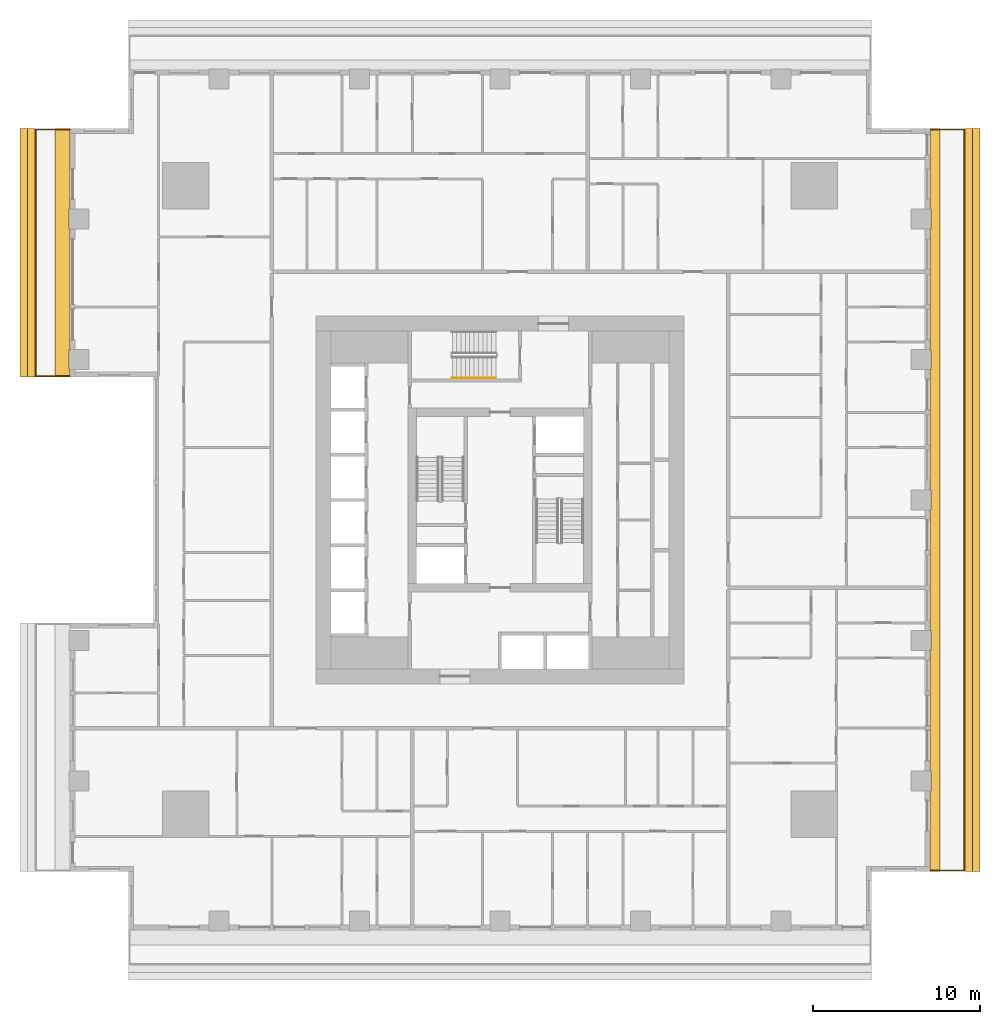
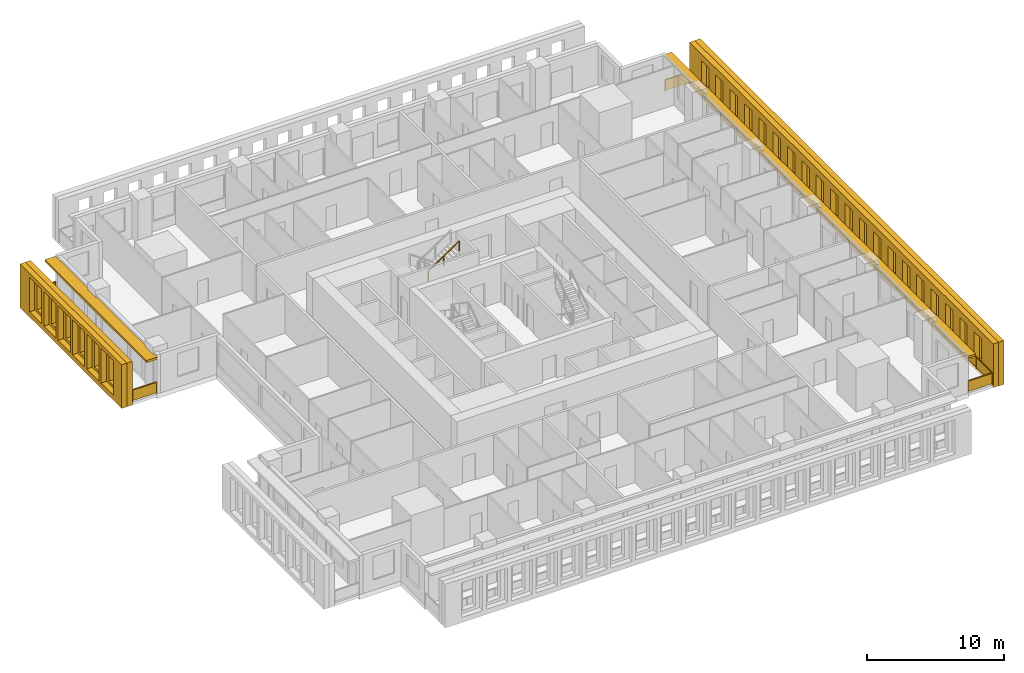
# One storey, part 13 of 15: 6 shading devices, 3 railings.
"""IFC4 building model written with IfcOpenShell, lengths in metres."""

from ifc_helpers import new_model, si_unit, direction, frame, origin, origin_2d, place, context, subcontext, project, spatial, polyline, rectangle, outline, extrude, material, layer, layer_set, type_object, element, save


model = new_model("IFC4")

# Units and contexts
model_context = context("Model", 3, precision=1e-05, world=origin(), true_north=direction((0.0, 1.0)))
body_context = subcontext(model_context, "Body", "Model", "MODEL_VIEW")
ifc_project = project(units=[si_unit("LENGTHUNIT", "METRE"), si_unit("AREAUNIT", "SQUARE_METRE"), si_unit("VOLUMEUNIT", "CUBIC_METRE"), si_unit("PLANEANGLEUNIT", "RADIAN"), si_unit("MASSUNIT", "GRAM", prefix="KILO")], contexts=[model_context])

# Site, building, storey
site_placement = place(None, origin())
site = spatial("IfcSite", under=ifc_project, at=site_placement, CompositionType="ELEMENT")
building_placement = place(site_placement, origin())
building = spatial("IfcBuilding", under=site, at=building_placement, Name="Khepri Terraces", CompositionType="ELEMENT")
storey_placement = place(building_placement, frame((0.0, 0.0, 98.699951171875)))
storey = spatial("IfcBuildingStorey", under=building, at=storey_placement, Name="L23", CompositionType="ELEMENT", Elevation=98.699951171875)

# Railings
ifc_material_1 = material(Name="Stainless steel grade 316", Category="steel")
railing_type_1 = type_object("IfcRailingType", Name="GRD-BAL-1100", PredefinedType="GUARDRAIL", material=ifc_material_1)
railing_1_placement = place(storey_placement, frame((25.719970703125, -22.169921875, 0.0)))
element("IfcRailing", 1, at=railing_1_placement, inside=storey, type_object=railing_type_1, Name="Balcony guard L23 E", PredefinedType="GUARDRAIL", context=body_context, shape_type="SweptSolid", body=[
    extrude(rectangle(XDim=0.050048828125, YDim=0.06005859375, at=origin_2d()), frame((0.0, 0.0, 1.070068359375), z_axis=(1.0, 0.0, 0.0), x_axis=(0.0, 1.0, 0.0)), (0.0, 0.0, 1.0), 2.050048828125),
    extrude(rectangle(XDim=2.0, YDim=0.011962890625, at=origin_2d()), frame((1.02490234375, 0.0, 0.10009765625), z_axis=(0.0, 0.0, 1.0), x_axis=(1.0, 0.0, 0.0)), (0.0, 0.0, 1.0), 0.93994140625),
    extrude(rectangle(XDim=0.050048828125, YDim=0.06005859375, at=origin_2d()), frame((2.050048828125, 0.0, 1.070068359375), z_axis=(0.0, 1.0, 0.0), x_axis=(-1.0, 0.0, 0.0)), (0.0, 0.0, 1.0), 44.33984375),
    extrude(rectangle(XDim=2.28369140625, YDim=0.011962890625, at=origin_2d()), frame((2.050048828125, 1.166748046875, 0.10009765625), z_axis=(0.0, 0.0, 1.0), x_axis=(0.0, 1.0, 0.0)), (0.0, 0.0, 1.0), 0.93994140625),
    extrude(rectangle(XDim=2.28369140625, YDim=0.011962890625, at=origin_2d()), frame((2.050048828125, 3.50048828125, 0.10009765625), z_axis=(0.0, 0.0, 1.0), x_axis=(0.0, 1.0, 0.0)), (0.0, 0.0, 1.0), 0.93994140625),
    extrude(rectangle(XDim=2.28369140625, YDim=0.011962890625, at=origin_2d()), frame((2.050048828125, 5.834228515625, 0.10009765625), z_axis=(0.0, 0.0, 1.0), x_axis=(0.0, 1.0, 0.0)), (0.0, 0.0, 1.0), 0.93994140625),
    extrude(rectangle(XDim=2.28369140625, YDim=0.011962890625, at=origin_2d()), frame((2.050048828125, 8.16796875, 0.10009765625), z_axis=(0.0, 0.0, 1.0), x_axis=(0.0, 1.0, 0.0)), (0.0, 0.0, 1.0), 0.93994140625),
    extrude(rectangle(XDim=2.28369140625, YDim=0.011962890625, at=origin_2d()), frame((2.050048828125, 10.50146484375, 0.10009765625), z_axis=(0.0, 0.0, 1.0), x_axis=(0.0, 1.0, 0.0)), (0.0, 0.0, 1.0), 0.93994140625),
    extrude(rectangle(XDim=2.28369140625, YDim=0.011962890625, at=origin_2d()), frame((2.050048828125, 12.835205078125, 0.10009765625), z_axis=(0.0, 0.0, 1.0), x_axis=(0.0, 1.0, 0.0)), (0.0, 0.0, 1.0), 0.93994140625),
    extrude(rectangle(XDim=2.28369140625, YDim=0.011962890625, at=origin_2d()), frame((2.050048828125, 15.1689453125, 0.10009765625), z_axis=(0.0, 0.0, 1.0), x_axis=(0.0, 1.0, 0.0)), (0.0, 0.0, 1.0), 0.93994140625),
    extrude(rectangle(XDim=2.28369140625, YDim=0.011962890625, at=origin_2d()), frame((2.050048828125, 17.502685546875, 0.10009765625), z_axis=(0.0, 0.0, 1.0), x_axis=(0.0, 1.0, 0.0)), (0.0, 0.0, 1.0), 0.93994140625),
    extrude(rectangle(XDim=2.28369140625, YDim=0.011962890625, at=origin_2d()), frame((2.050048828125, 19.836181640625, 0.10009765625), z_axis=(0.0, 0.0, 1.0), x_axis=(0.0, 1.0, 0.0)), (0.0, 0.0, 1.0), 0.93994140625),
    extrude(rectangle(XDim=2.28369140625, YDim=0.011962890625, at=origin_2d()), frame((2.050048828125, 22.169921875, 0.10009765625), z_axis=(0.0, 0.0, 1.0), x_axis=(0.0, 1.0, 0.0)), (0.0, 0.0, 1.0), 0.93994140625),
    extrude(rectangle(XDim=2.28369140625, YDim=0.011962890625, at=origin_2d()), frame((2.050048828125, 24.503662109375, 0.10009765625), z_axis=(0.0, 0.0, 1.0), x_axis=(0.0, 1.0, 0.0)), (0.0, 0.0, 1.0), 0.93994140625),
    extrude(rectangle(XDim=2.28369140625, YDim=0.011962890625, at=origin_2d()), frame((2.050048828125, 26.837158203125, 0.10009765625), z_axis=(0.0, 0.0, 1.0), x_axis=(0.0, 1.0, 0.0)), (0.0, 0.0, 1.0), 0.93994140625),
    extrude(rectangle(XDim=2.28369140625, YDim=0.011962890625, at=origin_2d()), frame((2.050048828125, 29.1708984375, 0.10009765625), z_axis=(0.0, 0.0, 1.0), x_axis=(0.0, 1.0, 0.0)), (0.0, 0.0, 1.0), 0.93994140625),
    extrude(rectangle(XDim=2.28369140625, YDim=0.011962890625, at=origin_2d()), frame((2.050048828125, 31.504638671875, 0.10009765625), z_axis=(0.0, 0.0, 1.0), x_axis=(0.0, 1.0, 0.0)), (0.0, 0.0, 1.0), 0.93994140625),
    extrude(rectangle(XDim=2.28369140625, YDim=0.011962890625, at=origin_2d()), frame((2.050048828125, 33.83837890625, 0.10009765625), z_axis=(0.0, 0.0, 1.0), x_axis=(0.0, 1.0, 0.0)), (0.0, 0.0, 1.0), 0.93994140625),
    extrude(rectangle(XDim=2.28369140625, YDim=0.011962890625, at=origin_2d()), frame((2.050048828125, 36.171875, 0.10009765625), z_axis=(0.0, 0.0, 1.0), x_axis=(0.0, 1.0, 0.0)), (0.0, 0.0, 1.0), 0.93994140625),
    extrude(rectangle(XDim=2.28369140625, YDim=0.011962890625, at=origin_2d()), frame((2.050048828125, 38.505615234375, 0.10009765625), z_axis=(0.0, 0.0, 1.0), x_axis=(0.0, 1.0, 0.0)), (0.0, 0.0, 1.0), 0.93994140625),
    extrude(rectangle(XDim=2.28369140625, YDim=0.011962890625, at=origin_2d()), frame((2.050048828125, 40.83935546875, 0.10009765625), z_axis=(0.0, 0.0, 1.0), x_axis=(0.0, 1.0, 0.0)), (0.0, 0.0, 1.0), 0.93994140625),
    extrude(rectangle(XDim=2.28369140625, YDim=0.011962890625, at=origin_2d()), frame((2.050048828125, 43.173095703125, 0.10009765625), z_axis=(0.0, 0.0, 1.0), x_axis=(0.0, 1.0, 0.0)), (0.0, 0.0, 1.0), 0.93994140625),
    extrude(rectangle(XDim=0.050048828125, YDim=0.06005859375, at=origin_2d()), frame((2.050048828125, 44.33984375, 1.070068359375), z_axis=(-1.0, 0.0, 0.0), x_axis=(0.0, -1.0, 0.0)), (0.0, 0.0, 1.0), 2.050048828125),
    extrude(rectangle(XDim=2.0, YDim=0.011962890625, at=origin_2d()), frame((1.02490234375, 44.33984375, 0.10009765625), z_axis=(0.0, 0.0, 1.0), x_axis=(-1.0, 0.0, 0.0)), (0.0, 0.0, 1.0), 0.93994140625),
    extrude(rectangle(XDim=0.050048828125, YDim=0.050048828125, at=origin_2d()), origin(), (0.0, 0.0, 1.0), 1.0400390625),
    extrude(rectangle(XDim=0.050048828125, YDim=0.050048828125, at=origin_2d()), frame((2.050048828125, 0.0, 0.0)), (0.0, 0.0, 1.0), 1.0400390625),
    extrude(rectangle(XDim=0.050048828125, YDim=0.050048828125, at=origin_2d()), frame((2.050048828125, 2.333740234375, 0.0)), (0.0, 0.0, 1.0), 1.0400390625),
    extrude(rectangle(XDim=0.050048828125, YDim=0.050048828125, at=origin_2d()), frame((2.050048828125, 4.667236328125, 0.0)), (0.0, 0.0, 1.0), 1.0400390625),
    extrude(rectangle(XDim=0.050048828125, YDim=0.050048828125, at=origin_2d()), frame((2.050048828125, 7.0009765625, 0.0)), (0.0, 0.0, 1.0), 1.0400390625),
    extrude(rectangle(XDim=0.050048828125, YDim=0.050048828125, at=origin_2d()), frame((2.050048828125, 9.334716796875, 0.0)), (0.0, 0.0, 1.0), 1.0400390625),
    extrude(rectangle(XDim=0.050048828125, YDim=0.050048828125, at=origin_2d()), frame((2.050048828125, 11.66845703125, 0.0)), (0.0, 0.0, 1.0), 1.0400390625),
    extrude(rectangle(XDim=0.050048828125, YDim=0.050048828125, at=origin_2d()), frame((2.050048828125, 14.001953125, 0.0)), (0.0, 0.0, 1.0), 1.0400390625),
    extrude(rectangle(XDim=0.050048828125, YDim=0.050048828125, at=origin_2d()), frame((2.050048828125, 16.335693359375, 0.0)), (0.0, 0.0, 1.0), 1.0400390625),
    extrude(rectangle(XDim=0.050048828125, YDim=0.050048828125, at=origin_2d()), frame((2.050048828125, 18.66943359375, 0.0)), (0.0, 0.0, 1.0), 1.0400390625),
    extrude(rectangle(XDim=0.050048828125, YDim=0.050048828125, at=origin_2d()), frame((2.050048828125, 21.003173828125, 0.0)), (0.0, 0.0, 1.0), 1.0400390625),
    extrude(rectangle(XDim=0.050048828125, YDim=0.050048828125, at=origin_2d()), frame((2.050048828125, 23.336669921875, 0.0)), (0.0, 0.0, 1.0), 1.0400390625),
    extrude(rectangle(XDim=0.050048828125, YDim=0.050048828125, at=origin_2d()), frame((2.050048828125, 25.67041015625, 0.0)), (0.0, 0.0, 1.0), 1.0400390625),
    extrude(rectangle(XDim=0.050048828125, YDim=0.050048828125, at=origin_2d()), frame((2.050048828125, 28.004150390625, 0.0)), (0.0, 0.0, 1.0), 1.0400390625),
    extrude(rectangle(XDim=0.050048828125, YDim=0.050048828125, at=origin_2d()), frame((2.050048828125, 30.337890625, 0.0)), (0.0, 0.0, 1.0), 1.0400390625),
    extrude(rectangle(XDim=0.050048828125, YDim=0.050048828125, at=origin_2d()), frame((2.050048828125, 32.67138671875, 0.0)), (0.0, 0.0, 1.0), 1.0400390625),
    extrude(rectangle(XDim=0.050048828125, YDim=0.050048828125, at=origin_2d()), frame((2.050048828125, 35.005126953125, 0.0)), (0.0, 0.0, 1.0), 1.0400390625),
    extrude(rectangle(XDim=0.050048828125, YDim=0.050048828125, at=origin_2d()), frame((2.050048828125, 37.3388671875, 0.0)), (0.0, 0.0, 1.0), 1.0400390625),
    extrude(rectangle(XDim=0.050048828125, YDim=0.050048828125, at=origin_2d()), frame((2.050048828125, 39.672607421875, 0.0)), (0.0, 0.0, 1.0), 1.0400390625),
    extrude(rectangle(XDim=0.050048828125, YDim=0.050048828125, at=origin_2d()), frame((2.050048828125, 42.006103515625, 0.0)), (0.0, 0.0, 1.0), 1.0400390625),
    extrude(rectangle(XDim=0.050048828125, YDim=0.050048828125, at=origin_2d()), frame((2.050048828125, 44.33984375, 0.0)), (0.0, 0.0, 1.0), 1.0400390625),
    extrude(rectangle(XDim=0.050048828125, YDim=0.050048828125, at=origin_2d()), frame((0.0, 44.33984375, 0.0)), (0.0, 0.0, 1.0), 1.0400390625),
])
railing_2_placement = place(storey_placement, frame((-25.719970703125, 22.169921875, 0.0)))
element("IfcRailing", 2, at=railing_2_placement, inside=storey, type_object=railing_type_1, Name="Balcony guard L23 W", PredefinedType="GUARDRAIL", context=body_context, shape_type="SweptSolid", body=[
    extrude(rectangle(XDim=0.050048828125, YDim=0.06005859375, at=origin_2d()), frame((0.0, 0.0, 1.070068359375), z_axis=(-1.0, 0.0, 0.0), x_axis=(0.0, -1.0, 0.0)), (0.0, 0.0, 1.0), 2.050048828125),
    extrude(rectangle(XDim=2.0, YDim=0.011962890625, at=origin_2d()), frame((-1.02490234375, 0.0, 0.10009765625), z_axis=(0.0, 0.0, 1.0), x_axis=(-1.0, 0.0, 0.0)), (0.0, 0.0, 1.0), 0.93994140625),
    extrude(rectangle(XDim=0.050048828125, YDim=0.06005859375, at=origin_2d()), frame((-2.050048828125, 0.0, 1.070068359375), z_axis=(0.0, -1.0, 0.0), x_axis=(1.0, 0.0, 0.0)), (0.0, 0.0, 1.0), 14.77001953125),
    extrude(rectangle(XDim=2.06005859375, YDim=0.011962890625, at=origin_2d()), frame((-2.050048828125, -1.054931640625, 0.10009765625), z_axis=(0.0, 0.0, 1.0), x_axis=(0.0, -1.0, 0.0)), (0.0, 0.0, 1.0), 0.93994140625),
    extrude(rectangle(XDim=2.06005859375, YDim=0.011962890625, at=origin_2d()), frame((-2.050048828125, -3.1650390625, 0.10009765625), z_axis=(0.0, 0.0, 1.0), x_axis=(0.0, -1.0, 0.0)), (0.0, 0.0, 1.0), 0.93994140625),
    extrude(rectangle(XDim=2.06005859375, YDim=0.011962890625, at=origin_2d()), frame((-2.050048828125, -5.27490234375, 0.10009765625), z_axis=(0.0, 0.0, 1.0), x_axis=(0.0, -1.0, 0.0)), (0.0, 0.0, 1.0), 0.93994140625),
    extrude(rectangle(XDim=2.06005859375, YDim=0.011962890625, at=origin_2d()), frame((-2.050048828125, -7.385009765625, 0.10009765625), z_axis=(0.0, 0.0, 1.0), x_axis=(0.0, -1.0, 0.0)), (0.0, 0.0, 1.0), 0.93994140625),
    extrude(rectangle(XDim=2.06005859375, YDim=0.011962890625, at=origin_2d()), frame((-2.050048828125, -9.4951171875, 0.10009765625), z_axis=(0.0, 0.0, 1.0), x_axis=(0.0, -1.0, 0.0)), (0.0, 0.0, 1.0), 0.93994140625),
    extrude(rectangle(XDim=2.06005859375, YDim=0.011962890625, at=origin_2d()), frame((-2.050048828125, -11.60498046875, 0.10009765625), z_axis=(0.0, 0.0, 1.0), x_axis=(0.0, -1.0, 0.0)), (0.0, 0.0, 1.0), 0.93994140625),
    extrude(rectangle(XDim=2.06005859375, YDim=0.011962890625, at=origin_2d()), frame((-2.050048828125, -13.715087890625, 0.10009765625), z_axis=(0.0, 0.0, 1.0), x_axis=(0.0, -1.0, 0.0)), (0.0, 0.0, 1.0), 0.93994140625),
    extrude(rectangle(XDim=0.050048828125, YDim=0.06005859375, at=origin_2d()), frame((-2.050048828125, -14.77001953125, 1.070068359375), z_axis=(1.0, 0.0, 0.0), x_axis=(0.0, 1.0, 0.0)), (0.0, 0.0, 1.0), 2.050048828125),
    extrude(rectangle(XDim=2.0, YDim=0.011962890625, at=origin_2d()), frame((-1.02490234375, -14.77001953125, 0.10009765625), z_axis=(0.0, 0.0, 1.0), x_axis=(1.0, 0.0, 0.0)), (0.0, 0.0, 1.0), 0.93994140625),
    extrude(rectangle(XDim=0.050048828125, YDim=0.050048828125, at=origin_2d()), origin(), (0.0, 0.0, 1.0), 1.0400390625),
    extrude(rectangle(XDim=0.050048828125, YDim=0.050048828125, at=origin_2d()), frame((-2.050048828125, 0.0, 0.0)), (0.0, 0.0, 1.0), 1.0400390625),
    extrude(rectangle(XDim=0.050048828125, YDim=0.050048828125, at=origin_2d()), frame((-2.050048828125, -2.110107421875, 0.0)), (0.0, 0.0, 1.0), 1.0400390625),
    extrude(rectangle(XDim=0.050048828125, YDim=0.050048828125, at=origin_2d()), frame((-2.050048828125, -4.219970703125, 0.0)), (0.0, 0.0, 1.0), 1.0400390625),
    extrude(rectangle(XDim=0.050048828125, YDim=0.050048828125, at=origin_2d()), frame((-2.050048828125, -6.330078125, 0.0)), (0.0, 0.0, 1.0), 1.0400390625),
    extrude(rectangle(XDim=0.050048828125, YDim=0.050048828125, at=origin_2d()), frame((-2.050048828125, -8.43994140625, 0.0)), (0.0, 0.0, 1.0), 1.0400390625),
    extrude(rectangle(XDim=0.050048828125, YDim=0.050048828125, at=origin_2d()), frame((-2.050048828125, -10.550048828125, 0.0)), (0.0, 0.0, 1.0), 1.0400390625),
    extrude(rectangle(XDim=0.050048828125, YDim=0.050048828125, at=origin_2d()), frame((-2.050048828125, -12.659912109375, 0.0)), (0.0, 0.0, 1.0), 1.0400390625),
    extrude(rectangle(XDim=0.050048828125, YDim=0.050048828125, at=origin_2d()), frame((-2.050048828125, -14.77001953125, 0.0)), (0.0, 0.0, 1.0), 1.0400390625),
    extrude(rectangle(XDim=0.050048828125, YDim=0.050048828125, at=origin_2d()), frame((0.0, -14.77001953125, 0.0)), (0.0, 0.0, 1.0), 1.0400390625),
])
ifc_material_2 = material(Name="Stainless steel 316", Category="steel")
railing_type_2 = type_object("IfcRailingType", Name="RL-CORE-HANDRAIL", PredefinedType="HANDRAIL", material=ifc_material_2)
railing_3_placement = place(storey_placement, frame((-2.85009765625, 7.300048828125, 2.12744140625)))
element("IfcRailing", 3, at=railing_3_placement, inside=storey, type_object=railing_type_2, Name="L23 ST-3 stair handrail 2", PredefinedType="HANDRAIL", context=body_context, shape_type="SweptSolid", body=[
    extrude(rectangle(XDim=0.050048828125, YDim=0.050048828125, at=origin_2d()), frame((0.0, 0.0, 0.875), z_axis=(0.826240473404, 0.0, 0.563317565952), x_axis=(0.0, 1.0, 0.0)), (0.0, 0.0, 1.0), 3.14697265625),
    extrude(rectangle(XDim=0.050048828125, YDim=0.050048828125, at=origin_2d()), origin(), (0.0, 0.0, 1.0), 0.849853515625),
    extrude(rectangle(XDim=0.050048828125, YDim=0.050048828125, at=origin_2d()), frame((1.300048828125, 0.0, 0.88623046875)), (0.0, 0.0, 1.0), 0.849853515625),
    extrude(rectangle(XDim=0.050048828125, YDim=0.050048828125, at=origin_2d()), frame((2.60009765625, 0.0, 1.772705078125)), (0.0, 0.0, 1.0), 0.849853515625),
])

# Shading devices
ifc_material_3 = material(Name="Precast concrete C50/60 warm stone", Category="masonry")
shading_device_type_1 = type_object("IfcShadingDeviceType", Name="SCR-CELL-INNER-450", PredefinedType="USERDEFINED", material=ifc_material_3)
shading_device_1_placement = place(storey_placement, frame((27.820068359375, -22.219970703125, -0.25), z_axis=(1.0, 0.0, 0.0), x_axis=(0.0, 1.0, 0.0)))
element("IfcShadingDevice", 4, at=shading_device_1_placement, inside=storey, type_object=shading_device_type_1, Name="Cell screen L23 E in", ObjectType="SCREEN", PredefinedType="USERDEFINED", context=body_context, shape_type="SweptSolid", body=[
    extrude(outline(polyline([(0.0, 0.0), (44.43994140625, 0.0), (44.43994140625, 3.89990234375), (0.0, 3.89990234375), (0.0, 0.0)]), holes=[polyline([(1.7265625, 0.699951171875), (2.8134765625, 0.699951171875), (2.8134765625, 3.300048828125), (1.7265625, 3.300048828125), (1.7265625, 0.699951171875)]), polyline([(3.82666015625, 0.699951171875), (4.913330078125, 0.699951171875), (4.913330078125, 3.300048828125), (3.82666015625, 3.300048828125), (3.82666015625, 0.699951171875)]), polyline([(5.926513671875, 0.699951171875), (7.013427734375, 0.699951171875), (7.013427734375, 3.300048828125), (5.926513671875, 3.300048828125), (5.926513671875, 0.699951171875)]), polyline([(8.026611328125, 0.699951171875), (9.11328125, 0.699951171875), (9.11328125, 3.300048828125), (8.026611328125, 3.300048828125), (8.026611328125, 0.699951171875)]), polyline([(10.126708984375, 0.699951171875), (11.21337890625, 0.699951171875), (11.21337890625, 3.300048828125), (10.126708984375, 3.300048828125), (10.126708984375, 0.699951171875)]), polyline([(12.2265625, 0.699951171875), (13.3134765625, 0.699951171875), (13.3134765625, 3.300048828125), (12.2265625, 3.300048828125), (12.2265625, 0.699951171875)]), polyline([(14.32666015625, 0.699951171875), (15.413330078125, 0.699951171875), (15.413330078125, 3.300048828125), (14.32666015625, 3.300048828125), (14.32666015625, 0.699951171875)]), polyline([(16.426513671875, 0.699951171875), (17.513427734375, 0.699951171875), (17.513427734375, 3.300048828125), (16.426513671875, 3.300048828125), (16.426513671875, 0.699951171875)]), polyline([(18.526611328125, 0.699951171875), (19.61328125, 0.699951171875), (19.61328125, 3.300048828125), (18.526611328125, 3.300048828125), (18.526611328125, 0.699951171875)]), polyline([(20.626708984375, 0.699951171875), (21.71337890625, 0.699951171875), (21.71337890625, 3.300048828125), (20.626708984375, 3.300048828125), (20.626708984375, 0.699951171875)]), polyline([(22.7265625, 0.699951171875), (23.8134765625, 0.699951171875), (23.8134765625, 3.300048828125), (22.7265625, 3.300048828125), (22.7265625, 0.699951171875)]), polyline([(24.82666015625, 0.699951171875), (25.913330078125, 0.699951171875), (25.913330078125, 3.300048828125), (24.82666015625, 3.300048828125), (24.82666015625, 0.699951171875)]), polyline([(26.926513671875, 0.699951171875), (28.013427734375, 0.699951171875), (28.013427734375, 3.300048828125), (26.926513671875, 3.300048828125), (26.926513671875, 0.699951171875)]), polyline([(29.026611328125, 0.699951171875), (30.11328125, 0.699951171875), (30.11328125, 3.300048828125), (29.026611328125, 3.300048828125), (29.026611328125, 0.699951171875)]), polyline([(31.126708984375, 0.699951171875), (32.21337890625, 0.699951171875), (32.21337890625, 3.300048828125), (31.126708984375, 3.300048828125), (31.126708984375, 0.699951171875)]), polyline([(33.2265625, 0.699951171875), (34.3134765625, 0.699951171875), (34.3134765625, 3.300048828125), (33.2265625, 3.300048828125), (33.2265625, 0.699951171875)]), polyline([(35.32666015625, 0.699951171875), (36.413330078125, 0.699951171875), (36.413330078125, 3.300048828125), (35.32666015625, 3.300048828125), (35.32666015625, 0.699951171875)]), polyline([(37.426513671875, 0.699951171875), (38.513427734375, 0.699951171875), (38.513427734375, 3.300048828125), (37.426513671875, 3.300048828125), (37.426513671875, 0.699951171875)]), polyline([(39.526611328125, 0.699951171875), (40.61328125, 0.699951171875), (40.61328125, 3.300048828125), (39.526611328125, 3.300048828125), (39.526611328125, 0.699951171875)]), polyline([(41.626708984375, 0.699951171875), (42.71337890625, 0.699951171875), (42.71337890625, 3.300048828125), (41.626708984375, 3.300048828125), (41.626708984375, 0.699951171875)])]), origin(), (0.0, 0.0, 1.0), 0.449951171875),
])
shading_device_2_placement = place(storey_placement, frame((-27.820068359375, 22.219970703125, -0.25), z_axis=(-1.0, 0.0, 0.0), x_axis=(0.0, -1.0, 0.0)))
element("IfcShadingDevice", 5, at=shading_device_2_placement, inside=storey, type_object=shading_device_type_1, Name="Cell screen L23 W in", ObjectType="SCREEN", PredefinedType="USERDEFINED", context=body_context, shape_type="SweptSolid", body=[
    extrude(outline(polyline([(0.0, 0.0), (14.8701171875, 0.0), (14.8701171875, 3.89990234375), (0.0, 3.89990234375), (0.0, 0.0)]), holes=[polyline([(1.7265625, 0.699951171875), (2.8134765625, 0.699951171875), (2.8134765625, 3.300048828125), (1.7265625, 3.300048828125), (1.7265625, 0.699951171875)]), polyline([(3.82666015625, 0.699951171875), (4.913330078125, 0.699951171875), (4.913330078125, 3.300048828125), (3.82666015625, 3.300048828125), (3.82666015625, 0.699951171875)]), polyline([(5.926513671875, 0.699951171875), (7.013427734375, 0.699951171875), (7.013427734375, 3.300048828125), (5.926513671875, 3.300048828125), (5.926513671875, 0.699951171875)]), polyline([(8.026611328125, 0.699951171875), (9.11328125, 0.699951171875), (9.11328125, 3.300048828125), (8.026611328125, 3.300048828125), (8.026611328125, 0.699951171875)]), polyline([(10.126708984375, 0.699951171875), (11.21337890625, 0.699951171875), (11.21337890625, 3.300048828125), (10.126708984375, 3.300048828125), (10.126708984375, 0.699951171875)]), polyline([(12.2265625, 0.699951171875), (13.3134765625, 0.699951171875), (13.3134765625, 3.300048828125), (12.2265625, 3.300048828125), (12.2265625, 0.699951171875)])]), origin(), (0.0, 0.0, 1.0), 0.449951171875),
])
shading_device_type_2 = type_object("IfcShadingDeviceType", Name="SCR-CELL-OUTER-450", PredefinedType="USERDEFINED", material=ifc_material_3)
shading_device_3_placement = place(storey_placement, frame((28.27001953125, -22.219970703125, -0.25), z_axis=(1.0, 0.0, 0.0), x_axis=(0.0, 1.0, 0.0)))
element("IfcShadingDevice", 6, at=shading_device_3_placement, inside=storey, type_object=shading_device_type_2, Name="Cell screen L23 E out", ObjectType="SCREEN", PredefinedType="USERDEFINED", context=body_context, shape_type="SweptSolid", body=[
    extrude(outline(polyline([(0.0, 0.0), (44.43994140625, 0.0), (44.43994140625, 3.89990234375), (0.0, 3.89990234375), (0.0, 0.0)]), holes=[polyline([(1.376708984375, 0.449951171875), (3.163330078125, 0.449951171875), (3.163330078125, 3.550048828125), (1.376708984375, 3.550048828125), (1.376708984375, 0.449951171875)]), polyline([(3.4765625, 0.449951171875), (5.263427734375, 0.449951171875), (5.263427734375, 3.550048828125), (3.4765625, 3.550048828125), (3.4765625, 0.449951171875)]), polyline([(5.57666015625, 0.449951171875), (7.36328125, 0.449951171875), (7.36328125, 3.550048828125), (5.57666015625, 3.550048828125), (5.57666015625, 0.449951171875)]), polyline([(7.676513671875, 0.449951171875), (9.46337890625, 0.449951171875), (9.46337890625, 3.550048828125), (7.676513671875, 3.550048828125), (7.676513671875, 0.449951171875)]), polyline([(9.776611328125, 0.449951171875), (11.5634765625, 0.449951171875), (11.5634765625, 3.550048828125), (9.776611328125, 3.550048828125), (9.776611328125, 0.449951171875)]), polyline([(11.876708984375, 0.449951171875), (13.663330078125, 0.449951171875), (13.663330078125, 3.550048828125), (11.876708984375, 3.550048828125), (11.876708984375, 0.449951171875)]), polyline([(13.9765625, 0.449951171875), (15.763427734375, 0.449951171875), (15.763427734375, 3.550048828125), (13.9765625, 3.550048828125), (13.9765625, 0.449951171875)]), polyline([(16.07666015625, 0.449951171875), (17.86328125, 0.449951171875), (17.86328125, 3.550048828125), (16.07666015625, 3.550048828125), (16.07666015625, 0.449951171875)]), polyline([(18.176513671875, 0.449951171875), (19.96337890625, 0.449951171875), (19.96337890625, 3.550048828125), (18.176513671875, 3.550048828125), (18.176513671875, 0.449951171875)]), polyline([(20.276611328125, 0.449951171875), (22.0634765625, 0.449951171875), (22.0634765625, 3.550048828125), (20.276611328125, 3.550048828125), (20.276611328125, 0.449951171875)]), polyline([(22.376708984375, 0.449951171875), (24.163330078125, 0.449951171875), (24.163330078125, 3.550048828125), (22.376708984375, 3.550048828125), (22.376708984375, 0.449951171875)]), polyline([(24.4765625, 0.449951171875), (26.263427734375, 0.449951171875), (26.263427734375, 3.550048828125), (24.4765625, 3.550048828125), (24.4765625, 0.449951171875)]), polyline([(26.57666015625, 0.449951171875), (28.36328125, 0.449951171875), (28.36328125, 3.550048828125), (26.57666015625, 3.550048828125), (26.57666015625, 0.449951171875)]), polyline([(28.676513671875, 0.449951171875), (30.46337890625, 0.449951171875), (30.46337890625, 3.550048828125), (28.676513671875, 3.550048828125), (28.676513671875, 0.449951171875)]), polyline([(30.776611328125, 0.449951171875), (32.5634765625, 0.449951171875), (32.5634765625, 3.550048828125), (30.776611328125, 3.550048828125), (30.776611328125, 0.449951171875)]), polyline([(32.876708984375, 0.449951171875), (34.663330078125, 0.449951171875), (34.663330078125, 3.550048828125), (32.876708984375, 3.550048828125), (32.876708984375, 0.449951171875)]), polyline([(34.9765625, 0.449951171875), (36.763427734375, 0.449951171875), (36.763427734375, 3.550048828125), (34.9765625, 3.550048828125), (34.9765625, 0.449951171875)]), polyline([(37.07666015625, 0.449951171875), (38.86328125, 0.449951171875), (38.86328125, 3.550048828125), (37.07666015625, 3.550048828125), (37.07666015625, 0.449951171875)]), polyline([(39.176513671875, 0.449951171875), (40.96337890625, 0.449951171875), (40.96337890625, 3.550048828125), (39.176513671875, 3.550048828125), (39.176513671875, 0.449951171875)]), polyline([(41.276611328125, 0.449951171875), (43.0634765625, 0.449951171875), (43.0634765625, 3.550048828125), (41.276611328125, 3.550048828125), (41.276611328125, 0.449951171875)])]), origin(), (0.0, 0.0, 1.0), 0.449951171875),
])
shading_device_4_placement = place(storey_placement, frame((-28.27001953125, 22.219970703125, -0.25), z_axis=(-1.0, 0.0, 0.0), x_axis=(0.0, -1.0, 0.0)))
element("IfcShadingDevice", 7, at=shading_device_4_placement, inside=storey, type_object=shading_device_type_2, Name="Cell screen L23 W out", ObjectType="SCREEN", PredefinedType="USERDEFINED", context=body_context, shape_type="SweptSolid", body=[
    extrude(outline(polyline([(0.0, 0.0), (14.8701171875, 0.0), (14.8701171875, 3.89990234375), (0.0, 3.89990234375), (0.0, 0.0)]), holes=[polyline([(1.376708984375, 0.449951171875), (3.163330078125, 0.449951171875), (3.163330078125, 3.550048828125), (1.376708984375, 3.550048828125), (1.376708984375, 0.449951171875)]), polyline([(3.4765625, 0.449951171875), (5.263427734375, 0.449951171875), (5.263427734375, 3.550048828125), (3.4765625, 3.550048828125), (3.4765625, 0.449951171875)]), polyline([(5.57666015625, 0.449951171875), (7.36328125, 0.449951171875), (7.36328125, 3.550048828125), (5.57666015625, 3.550048828125), (5.57666015625, 0.449951171875)]), polyline([(7.676513671875, 0.449951171875), (9.46337890625, 0.449951171875), (9.46337890625, 3.550048828125), (7.676513671875, 3.550048828125), (7.676513671875, 0.449951171875)]), polyline([(9.776611328125, 0.449951171875), (11.5634765625, 0.449951171875), (11.5634765625, 3.550048828125), (9.776611328125, 3.550048828125), (9.776611328125, 0.449951171875)]), polyline([(11.876708984375, 0.449951171875), (13.663330078125, 0.449951171875), (13.663330078125, 3.550048828125), (11.876708984375, 3.550048828125), (11.876708984375, 0.449951171875)])]), origin(), (0.0, 0.0, 1.0), 0.449951171875),
])
ifc_layer_1 = layer(ifc_material_3, 0.199951171875, Name="Precast concrete C50/60 warm stone", Category="masonry")
ifc_layer_set_1 = layer_set([ifc_layer_1], Name="Precast concrete C50/60 warm stone")
shading_device_type_3 = type_object("IfcShadingDeviceType", Name="SSH-BAND-STONE-200", PredefinedType="USERDEFINED", material=ifc_layer_set_1)
shading_device_5_placement = place(storey_placement, frame((0.0, 0.0, 3.10009765625)))
element("IfcShadingDevice", 8, at=shading_device_5_placement, inside=storey, type_object=shading_device_type_3, Name="Sunshade band L23 W", ObjectType="SUNSHADE", PredefinedType="USERDEFINED", context=body_context, shape_type="SweptSolid", body=[
    extrude(outline(polyline([(-25.719970703125, 17.39990234375), (-25.719970703125, 22.219970703125), (-26.6201171875, 22.219970703125), (-26.6201171875, 7.35009765625), (-25.719970703125, 7.35009765625), (-25.719970703125, 7.800048828125), (-25.800048828125, 7.800048828125), (-25.800048828125, 9.0), (-25.719970703125, 9.0), (-25.719970703125, 16.199951171875), (-25.800048828125, 16.199951171875), (-25.800048828125, 17.39990234375), (-25.719970703125, 17.39990234375)])), origin(), (0.0, 0.0, 1.0), 0.199951171875),
])
ifc_layer_2 = layer(ifc_material_3, 0.199951171875, Name="Precast concrete C50/60 warm stone", Category="masonry")
ifc_layer_set_2 = layer_set([ifc_layer_2], Name="Precast concrete C50/60 warm stone")
shading_device_type_4 = type_object("IfcShadingDeviceType", Name="SSH-BAND-STONE-200-N", PredefinedType="USERDEFINED", material=ifc_layer_set_2)
shading_device_6_placement = place(storey_placement, frame((0.0, 0.0, 3.10009765625)))
element("IfcShadingDevice", 9, at=shading_device_6_placement, inside=storey, type_object=shading_device_type_4, Name="Sunshade band L23 E", ObjectType="SUNSHADE", PredefinedType="USERDEFINED", context=body_context, shape_type="SweptSolid", body=[
    extrude(outline(polyline([(25.719970703125, -17.39990234375), (25.719970703125, -22.219970703125), (26.320068359375, -22.219970703125), (26.320068359375, 22.219970703125), (25.719970703125, 22.219970703125), (25.719970703125, 17.39990234375), (25.800048828125, 17.39990234375), (25.800048828125, 16.199951171875), (25.719970703125, 16.199951171875), (25.719970703125, 9.0), (25.800048828125, 9.0), (25.800048828125, 7.800048828125), (25.719970703125, 7.800048828125), (25.719970703125, 0.60009765625), (25.800048828125, 0.60009765625), (25.800048828125, -0.60009765625), (25.719970703125, -0.60009765625), (25.719970703125, -7.800048828125), (25.800048828125, -7.800048828125), (25.800048828125, -9.0), (25.719970703125, -9.0), (25.719970703125, -16.199951171875), (25.800048828125, -16.199951171875), (25.800048828125, -17.39990234375), (25.719970703125, -17.39990234375)])), origin(), (0.0, 0.0, 1.0), 0.199951171875),
])

save(model, "model.ifc")
